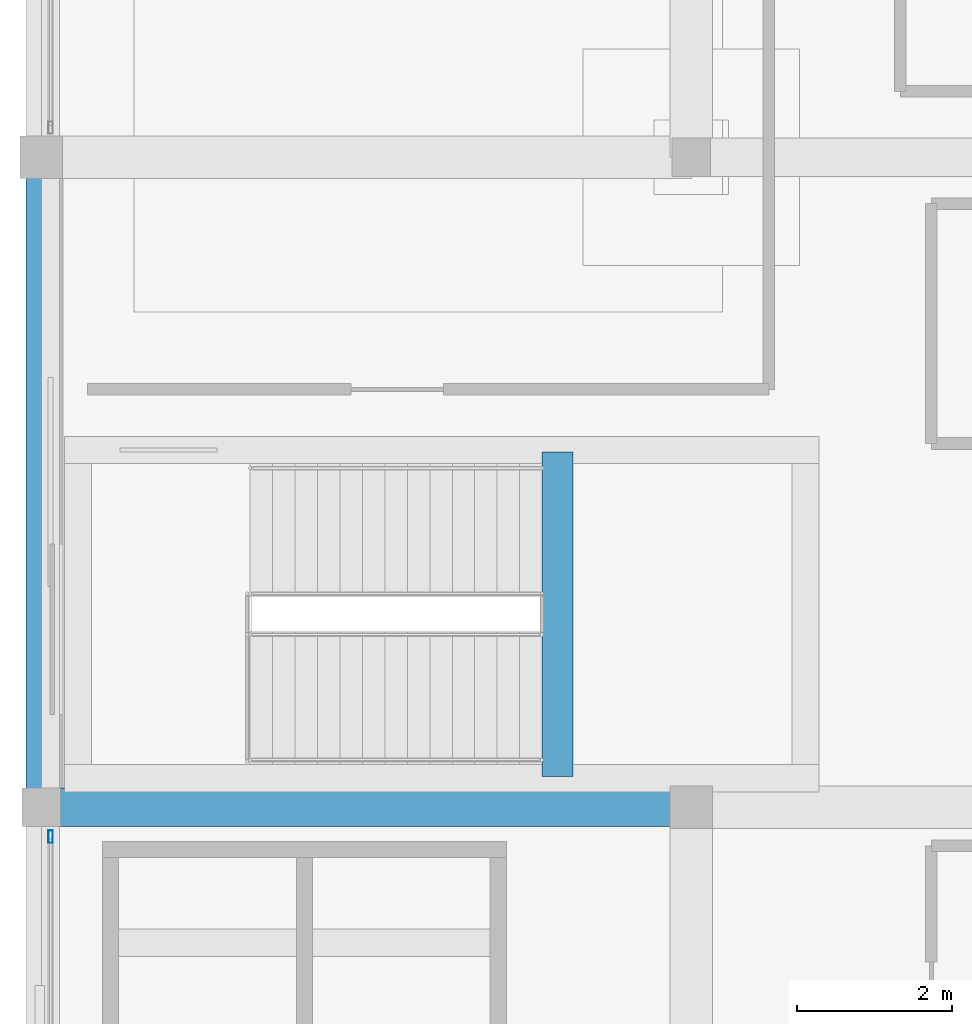
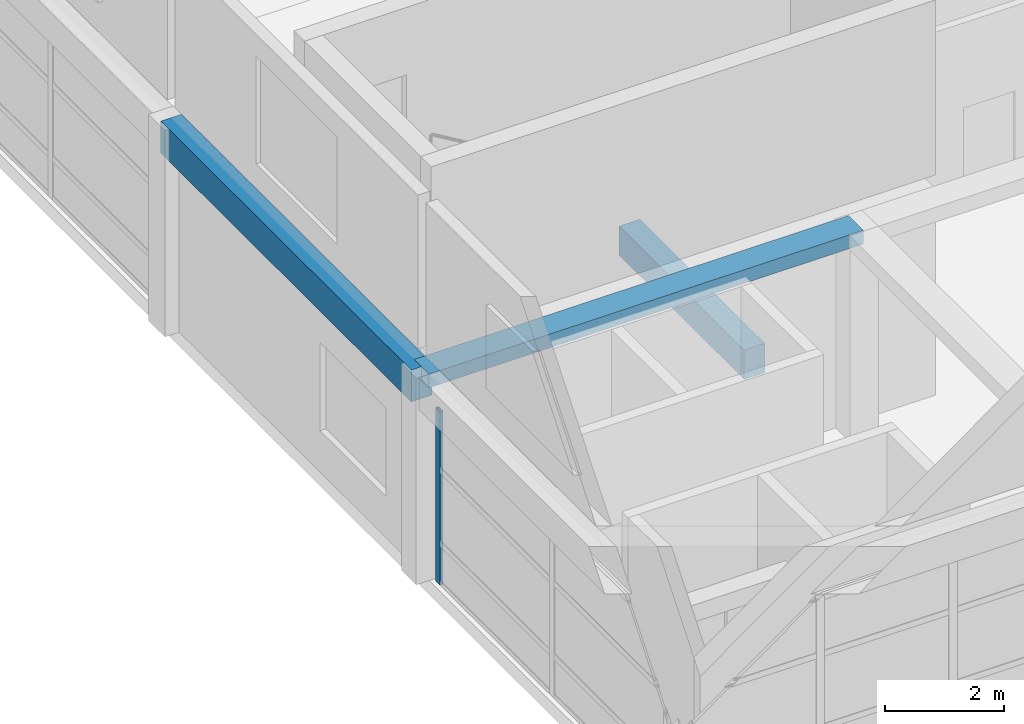
# One storey, part 4 of 17: 3 beams, 1 member, 1 element without a shape of its own.
"""IFC4 building model written with IfcOpenShell, lengths in metres."""

from ifc_helpers import new_model, si_unit, direction, frame, origin, origin_2d, place, context, subcontext, project, spatial, rectangle, hollow_rectangle, extrude, material, material_profile, profile_set, type_object, element, aggregate, save


model = new_model("IFC4")

# Units and contexts
model_context = context("Model", 3, precision=1e-05, world=origin(), true_north=direction((0.0, 1.0)))
body_context = subcontext(model_context, "Body", "Model", "MODEL_VIEW")
ifc_project = project(units=[si_unit("LENGTHUNIT", "METRE"), si_unit("AREAUNIT", "SQUARE_METRE"), si_unit("VOLUMEUNIT", "CUBIC_METRE"), si_unit("PLANEANGLEUNIT", "RADIAN"), si_unit("MASSUNIT", "GRAM", prefix="KILO")], contexts=[model_context])

# Site, building, storey
site_placement = place(None, origin())
site = spatial("IfcSite", under=ifc_project, at=site_placement, CompositionType="ELEMENT")
building_placement = place(site_placement, origin())
building = spatial("IfcBuilding", under=site, at=building_placement, Name="Almacenes y Pasaje Nevantli", CompositionType="ELEMENT")
storey_placement = place(building_placement, frame((0.0, 0.0, 66.699951171875)))
storey = spatial("IfcBuildingStorey", under=building, at=storey_placement, Name="L16", CompositionType="ELEMENT", Elevation=66.699951171875)

# Beams
ifc_material_1 = material(Name="Concrete C35/45", Category="concrete")
ifc_material_profile_1 = material_profile(ifc_material_1, rectangle(XDim=0.39990234375, YDim=0.60009765625, at=origin_2d()), Name="RC-BM-400x600")
ifc_profile_set_1 = profile_set([ifc_material_profile_1], Name="Concrete C35/45")
beam_type_1 = type_object("IfcBeamType", Name="BM-RC-400x600", PredefinedType="SPANDREL", material=ifc_profile_set_1)
beam_1_placement = place(storey_placement, frame((124.27001953125, 76.0, 1.75), z_axis=(0.0, 1.0, 0.0), x_axis=(-1.0, 0.0, 0.0)))
element("IfcBeam", 1, at=beam_1_placement, inside=storey, type_object=beam_type_1, Name="L16 Stair ST-01 Half-Landing Support Beam", PredefinedType="SPANDREL", context=body_context, shape_type="SweptSolid", body=[
    extrude(rectangle(XDim=0.39990234375, YDim=0.60009765625, at=origin_2d()), origin(), (0.0, 0.0, 1.0), 4.18994140625),
])
ifc_material_2 = material(Name="Concrete C35/45", Category="concrete")
ifc_material_profile_2 = material_profile(ifc_material_2, rectangle(XDim=0.39990234375, YDim=0.64990234375, at=origin_2d()), Name="RC-BM-400x650")
ifc_profile_set_2 = profile_set([ifc_material_profile_2], Name="Concrete C35/45")
beam_type_2 = type_object("IfcBeamType", Name="BM-RC-400x650", PredefinedType="SPANDREL", material=ifc_profile_set_2)
beam_2_placement = place(storey_placement, frame((117.60009765625, 75.60009765625, 3.89501953125), z_axis=(0.0, 1.0, 0.0), x_axis=(-1.0, 0.0, 0.0)))
element("IfcBeam", 2, at=beam_2_placement, inside=storey, type_object=beam_type_2, Name="L16 North-South Reinforced Concrete Beam #4056", PredefinedType="SPANDREL", context=body_context, shape_type="SweptSolid", body=[
    extrude(rectangle(XDim=0.39990234375, YDim=0.64990234375, at=origin_2d()), origin(), (0.0, 0.0, 1.0), 8.39990234375),
])
ifc_material_3 = material(Name="Concrete C35/45", Category="concrete")
ifc_material_profile_3 = material_profile(ifc_material_3, rectangle(XDim=0.5, YDim=0.280029296875, at=origin_2d()), Name="RC-BM-500x280")
ifc_profile_set_3 = profile_set([ifc_material_profile_3], Name="Concrete C35/45")
beam_type_3 = type_object("IfcBeamType", Name="BM-RC-500x280", PredefinedType="BEAM", material=ifc_profile_set_3)
beam_3_placement = place(storey_placement, frame((117.60009765625, 75.60009765625, 4.080078125), z_axis=(1.0, 0.0, 0.0), x_axis=(0.0, 1.0, 0.0)))
element("IfcBeam", 3, at=beam_3_placement, inside=storey, type_object=beam_type_3, Name="L16 East-West Reinforced Concrete Beam #4046", PredefinedType="BEAM", context=body_context, shape_type="SweptSolid", body=[
    extrude(rectangle(XDim=0.5, YDim=0.280029296875, at=origin_2d()), origin(), (0.0, 0.0, 1.0), 8.39990234375),
])

# Curtain wall, member
ifc_material_4 = material(Name="Thermally Broken Aluminium and Low-E Glass", Category="aluminium")
curtain_wall_type = type_object("IfcCurtainWallType", Name="CW-UNIT-TOWER", PredefinedType="USERDEFINED", material=ifc_material_4)
curtain_wall_placement = place(storey_placement, origin())
curtain_wall = element("IfcCurtainWall", 4, at=curtain_wall_placement, inside=storey, type_object=curtain_wall_type, Name="L16 Tower West Curtain Wall Bay 9", ObjectType="UNITIZED CURTAIN WALL", PredefinedType="USERDEFINED")
ifc_material_5 = material(Name="Thermally Broken Anodized Aluminium", Category="aluminium")
ifc_material_profile_4 = material_profile(ifc_material_5, hollow_rectangle(XDim=0.06005859375, YDim=0.159912109375, WallThickness=0.00390625, at=origin_2d()), Name="ALU-MUL-60x160")
ifc_profile_set_4 = profile_set([ifc_material_profile_4], Name="Thermally Broken Anodized Aluminium")
member_type = type_object("IfcMemberType", Name="CW-MUL-180", PredefinedType="MULLION", material=ifc_profile_set_4)
member_placement = place(storey_placement, frame((117.719970703125, 75.219970703125, 0.0), z_axis=(0.0, 0.0, 1.0), x_axis=(-1.0, 0.0, 0.0)))
member = element("IfcMember", 5, at=member_placement, type_object=member_type, Name="CW-L16-194 mullion 3", PredefinedType="MULLION", context=body_context, shape_type="SweptSolid", body=[
    extrude(hollow_rectangle(XDim=0.06005859375, YDim=0.159912109375, WallThickness=0.00390625, at=origin_2d()), origin(), (0.0, 0.0, 1.0), 3.5400390625),
])
aggregate(curtain_wall, [member])

save(model, "model.ifc")
